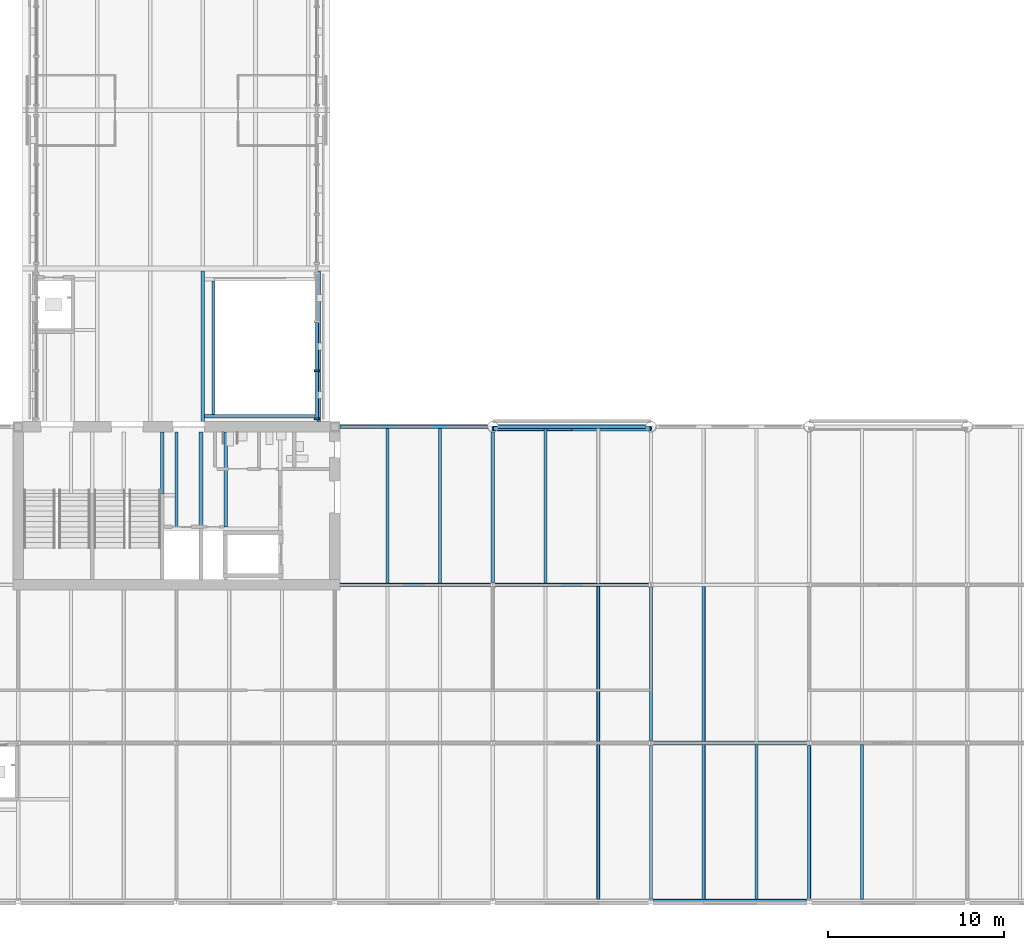
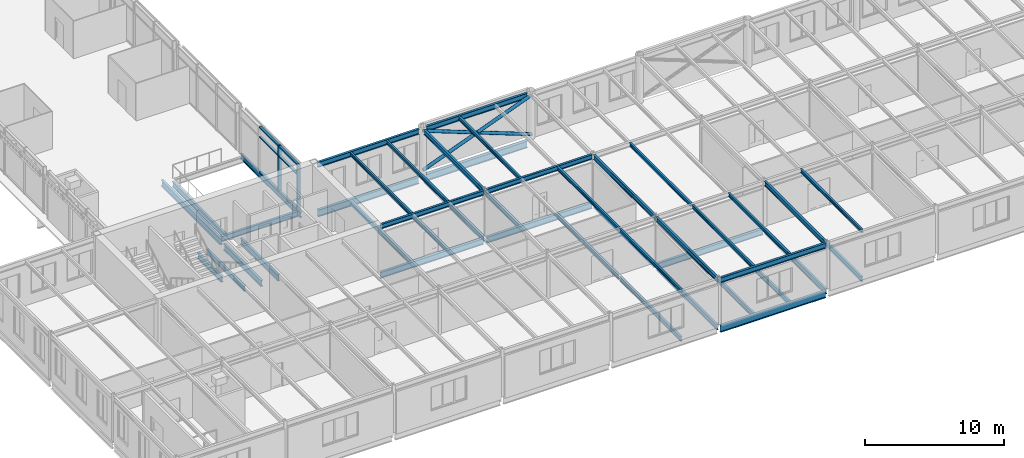
# One storey, part 24 of 123: 45 beams, 10 members, 1 element without a shape of its own.
"""IFC4 building model written with IfcOpenShell, lengths in metres."""

from ifc_helpers import new_model, si_unit, direction, frame, origin, origin_2d, place, context, subcontext, project, spatial, rectangle, hollow_circle, i_section, extrude, material, material_profile, profile_set, type_object, element, aggregate, save


model = new_model("IFC4")

# Units and contexts
model_context = context("Model", 3, precision=1e-05, world=origin(), true_north=direction((0.0, 1.0)))
body_context = subcontext(model_context, "Body", "Model", "MODEL_VIEW")
ifc_project = project(units=[si_unit("LENGTHUNIT", "METRE"), si_unit("AREAUNIT", "SQUARE_METRE"), si_unit("VOLUMEUNIT", "CUBIC_METRE"), si_unit("PLANEANGLEUNIT", "RADIAN"), si_unit("MASSUNIT", "GRAM", prefix="KILO")], contexts=[model_context])

# Site, building, storey
site_placement = place(None, origin())
site = spatial("IfcSite", under=ifc_project, at=site_placement, CompositionType="ELEMENT")
building_placement = place(site_placement, origin())
building = spatial("IfcBuilding", under=site, at=building_placement, Name="Baradari Gate Terminus", CompositionType="ELEMENT")
storey_placement = place(building_placement, frame((0.0, 0.0, 7.5)))
storey = spatial("IfcBuildingStorey", under=building, at=storey_placement, Name="L01", CompositionType="ELEMENT", Elevation=7.5)

# Members
ifc_material_1 = material(Name="Steel S355", Category="steel")
ifc_material_profile_1 = material_profile(ifc_material_1, hollow_circle(Radius=0.136474609375, WallThickness=0.012451171875, at=origin_2d()), Name="CHS 273x12.5")
ifc_profile_set_1 = profile_set([ifc_material_profile_1], Name="Steel S355")
member_type_1 = type_object("IfcMemberType", Name="Column bracing X02 CHS 273x12.5", PredefinedType="BRACE", material=ifc_profile_set_1)
for number, where, z_axis, x_axis, name in (
    (1, (99.0, 35.89990234375, 0.35009765625), (0.933747810426, 0.0, 0.357931594757), (0.0, 1.0, 0.0), "Column bracing 12-13 line E L01"),
    (2, (108.0, 35.89990234375, 0.35009765625), (-0.933747810426, 0.0, 0.357931594757), (0.0, -1.0, 0.0), "Column bracing 12-13 line E L01"),
):
    element("IfcMember", number, at=place(storey_placement, frame(where, z_axis=z_axis, x_axis=x_axis)), inside=storey, type_object=member_type_1, Name=name, PredefinedType="BRACE", context=body_context, shape_type="SweptSolid", body=[
        extrude(hollow_circle(Radius=0.136474609375, WallThickness=0.012451171875, at=origin_2d()), origin(), (0.0, 0.0, 1.0), 9.638671875),
    ])

# Beams
ifc_material_2 = material(Name="Steel S355", Category="steel")
ifc_material_profile_2 = material_profile(ifc_material_2, i_section(OverallWidth=0.19287109375, OverallDepth=0.46728515625, WebThickness=0.011474609375, FlangeThickness=0.01953125, FilletRadius=0.01025390625, at=origin_2d()), Name="UB 457x191x98")
ifc_profile_set_2 = profile_set([ifc_material_profile_2], Name="Steel S355")
beam_type_1 = type_object("IfcBeamType", Name="Concourse opening trimmer B19 UB 457x191x98", PredefinedType="BEAM", material=ifc_profile_set_2)
beam_1_placement = place(storey_placement, frame((82.60546875, 36.60009765625, -0.363525390625), z_axis=(1.0, 0.0, 0.0), x_axis=(0.0, 1.0, 0.0)))
element("IfcBeam", 3, at=beam_1_placement, inside=storey, type_object=beam_type_1, Name="Concourse opening trimmer B19 36.6:82.605-89 L01", PredefinedType="BEAM", context=body_context, shape_type="SweptSolid", body=[
    extrude(i_section(OverallWidth=0.19287109375, OverallDepth=0.46728515625, WebThickness=0.011474609375, FlangeThickness=0.01953125, FilletRadius=0.01025390625, at=origin_2d()), origin(), (0.0, 0.0, 1.0), 6.39404296875),
])
beam_2_placement = place(storey_placement, frame((89.095947265625, 36.300048828125, -0.363525390625), z_axis=(0.0, 1.0, 0.0), x_axis=(-1.0, 0.0, 0.0)))
element("IfcBeam", 4, at=beam_2_placement, inside=storey, type_object=beam_type_1, Name="Concourse opening trimmer B19 89.096:36.3-44.866 L01", PredefinedType="BEAM", context=body_context, shape_type="SweptSolid", body=[
    extrude(i_section(OverallWidth=0.19287109375, OverallDepth=0.46728515625, WebThickness=0.011474609375, FlangeThickness=0.01953125, FilletRadius=0.01025390625, at=origin_2d()), origin(), (0.0, 0.0, 1.0), 8.56591796875),
])
beam_3_placement = place(storey_placement, frame((83.10400390625, 36.6962890625, -0.363525390625), z_axis=(0.0, 1.0, 0.0), x_axis=(-1.0, 0.0, 0.0)))
element("IfcBeam", 5, at=beam_3_placement, inside=storey, type_object=beam_type_1, Name="Concourse opening trimmer B19 83.104:36.696-44.304 L01", PredefinedType="BEAM", context=body_context, shape_type="SweptSolid", body=[
    extrude(i_section(OverallWidth=0.19287109375, OverallDepth=0.46728515625, WebThickness=0.011474609375, FlangeThickness=0.01953125, FilletRadius=0.01025390625, at=origin_2d()), origin(), (0.0, 0.0, 1.0), 7.607421875),
])
ifc_material_3 = material(Name="Steel S355", Category="steel")
ifc_material_profile_3 = material_profile(ifc_material_3, i_section(OverallWidth=0.19140625, OverallDepth=0.4599609375, WebThickness=0.010009765625, FlangeThickness=0.01611328125, FilletRadius=0.01025390625, at=origin_2d()), Name="UB 457x191x82")
ifc_profile_set_3 = profile_set([ifc_material_profile_3], Name="Steel S355")
beam_type_2 = type_object("IfcBeamType", Name="Core floor beam B23 UB 457x191x82", PredefinedType="BEAM", material=ifc_profile_set_3)
beam_4_placement = place(storey_placement, frame((81.0, 30.3046875, -0.360107421875), z_axis=(0.0, 1.0, 0.0), x_axis=(-1.0, 0.0, 0.0)))
element("IfcBeam", 6, at=beam_4_placement, inside=storey, type_object=beam_type_2, Name="Core floor beam B23 10:30.305-35.7 L01", PredefinedType="BEAM", context=body_context, shape_type="SweptSolid", body=[
    extrude(i_section(OverallWidth=0.19140625, OverallDepth=0.4599609375, WebThickness=0.010009765625, FlangeThickness=0.01611328125, FilletRadius=0.01025390625, at=origin_2d()), origin(), (0.0, 0.0, 1.0), 5.395263671875),
])
ifc_material_4 = material(Name="Steel S355", Category="steel")
ifc_material_profile_4 = material_profile(ifc_material_4, i_section(OverallWidth=0.209228515625, OverallDepth=0.533203125, WebThickness=0.010009765625, FlangeThickness=0.015625, FilletRadius=0.0126953125, at=origin_2d()), Name="UB 533x210x92")
ifc_profile_set_4 = profile_set([ifc_material_profile_4], Name="Steel S355")
beam_type_3 = type_object("IfcBeamType", Name="Core floor trimmer beam B22 UB 533x210x92", PredefinedType="BEAM", material=ifc_profile_set_4)
for number, where, z_axis, x_axis, name in (
    (7, (82.39990234375, 30.3046875, -0.396484375), (0.0, 1.0, 0.0), (-1.0, 0.0, 0.0), "Core floor trimmer beam B22 82.4:30.305-35.7 L01"),
    (8, (83.800048828125, 30.3046875, -0.396484375), (0.0, 1.0, 0.0), (-1.0, 0.0, 0.0), "Core floor trimmer beam B22 83.8:30.305-35.7 L01"),
):
    element("IfcBeam", number, at=place(storey_placement, frame(where, z_axis=z_axis, x_axis=x_axis)), inside=storey, type_object=beam_type_3, Name=name, PredefinedType="BEAM", context=body_context, shape_type="SweptSolid", body=[
        extrude(i_section(OverallWidth=0.209228515625, OverallDepth=0.533203125, WebThickness=0.010009765625, FlangeThickness=0.015625, FilletRadius=0.0126953125, at=origin_2d()), origin(), (0.0, 0.0, 1.0), 5.395263671875),
    ])
beam_5_placement = place(storey_placement, frame((80.199951171875, 32.20458984375, -0.396484375), z_axis=(0.0, 1.0, 0.0), x_axis=(-1.0, 0.0, 0.0)))
element("IfcBeam", 9, at=beam_5_placement, inside=storey, type_object=beam_type_3, Name="Core floor trimmer beam B22 80.2:32.205-35.7 L01", PredefinedType="BEAM", context=body_context, shape_type="SweptSolid", body=[
    extrude(i_section(OverallWidth=0.209228515625, OverallDepth=0.533203125, WebThickness=0.010009765625, FlangeThickness=0.015625, FilletRadius=0.0126953125, at=origin_2d()), origin(), (0.0, 0.0, 1.0), 3.495361328125),
])

# Curtain wall, members
ifc_material_5 = material(Name="Aluminium 6063-T6", Category="aluminium")
curtain_wall_type = type_object("IfcCurtainWallType", Name="Curtain wall CW-14 concourse bridge glazing", PredefinedType="NOTDEFINED", material=ifc_material_5)
curtain_wall_placement = place(storey_placement, origin())
curtain_wall = element("IfcCurtainWall", 10, at=curtain_wall_placement, inside=storey, type_object=curtain_wall_type, Name="Curtain wall CW-3 gate east face L01 bay 1", PredefinedType="NOTDEFINED")
ifc_material_6 = material(Name="Aluminium 6063-T6", Category="aluminium")
ifc_material_profile_5 = material_profile(ifc_material_6, rectangle(XDim=0.27490234375, YDim=0.10009765625, at=origin_2d()), Name="CM-14 100X275")
ifc_profile_set_5 = profile_set([ifc_material_profile_5], Name="Aluminium 6063-T6")
member_type_2 = type_object("IfcMemberType", Name="Curtain wall mullion CM-14 100x275", PredefinedType="MULLION", material=ifc_profile_set_5)
member_1_placement = place(storey_placement, frame((88.97509765625, 36.449951171875, 0.0), z_axis=(0.0, 0.0, 1.0), x_axis=(-1.0, 0.0, 0.0)))
member_1 = element("IfcMember", 11, at=member_1_placement, type_object=member_type_2, Name="CW-14 mullion 1", PredefinedType="MULLION", context=body_context, shape_type="SweptSolid", body=[
    extrude(rectangle(XDim=0.27490234375, YDim=0.10009765625, at=origin_2d()), origin(), (0.0, 0.0, 1.0), 4.050048828125),
])
member_2_placement = place(storey_placement, frame((88.97509765625, 39.183349609375, 0.0), z_axis=(0.0, 0.0, 1.0), x_axis=(-1.0, 0.0, 0.0)))
member_2 = element("IfcMember", 12, at=member_2_placement, type_object=member_type_2, Name="CW-14 mullion 2", PredefinedType="MULLION", context=body_context, shape_type="SweptSolid", body=[
    extrude(rectangle(XDim=0.27490234375, YDim=0.10009765625, at=origin_2d()), origin(), (0.0, 0.0, 1.0), 4.050048828125),
])
ifc_material_7 = material(Name="Aluminium 6063-T6", Category="aluminium")
ifc_material_profile_6 = material_profile(ifc_material_7, rectangle(XDim=0.199951171875, YDim=0.10009765625, at=origin_2d()), Name="CT-14 100X200")
ifc_profile_set_6 = profile_set([ifc_material_profile_6], Name="Aluminium 6063-T6")
member_type_3 = type_object("IfcMemberType", Name="Curtain wall transom CT-14 100x200", PredefinedType="USERDEFINED", material=ifc_profile_set_6)
member_3_placement = place(storey_placement, frame((88.97509765625, 36.5, 0.050048828125), z_axis=(0.0, 1.0, 0.0), x_axis=(-1.0, 0.0, 0.0)))
member_3 = element("IfcMember", 13, at=member_3_placement, type_object=member_type_3, Name="CW-14 transom 1.1", ObjectType="TRANSOM", PredefinedType="USERDEFINED", context=body_context, shape_type="SweptSolid", body=[
    extrude(rectangle(XDim=0.199951171875, YDim=0.10009765625, at=origin_2d()), origin(), (0.0, 0.0, 1.0), 2.63330078125),
])
member_4_placement = place(storey_placement, frame((88.97509765625, 36.5, 3.14990234375), z_axis=(0.0, 1.0, 0.0), x_axis=(-1.0, 0.0, 0.0)))
member_4 = element("IfcMember", 14, at=member_4_placement, type_object=member_type_3, Name="CW-14 transom 1.2", ObjectType="TRANSOM", PredefinedType="USERDEFINED", context=body_context, shape_type="SweptSolid", body=[
    extrude(rectangle(XDim=0.199951171875, YDim=0.10009765625, at=origin_2d()), origin(), (0.0, 0.0, 1.0), 2.63330078125),
])
member_5_placement = place(storey_placement, frame((88.97509765625, 36.5, 4.0), z_axis=(0.0, 1.0, 0.0), x_axis=(-1.0, 0.0, 0.0)))
member_5 = element("IfcMember", 15, at=member_5_placement, type_object=member_type_3, Name="CW-14 transom 1.3", ObjectType="TRANSOM", PredefinedType="USERDEFINED", context=body_context, shape_type="SweptSolid", body=[
    extrude(rectangle(XDim=0.199951171875, YDim=0.10009765625, at=origin_2d()), origin(), (0.0, 0.0, 1.0), 2.63330078125),
])
member_6_placement = place(storey_placement, frame((88.97509765625, 39.2333984375, 0.050048828125), z_axis=(0.0, 1.0, 0.0), x_axis=(-1.0, 0.0, 0.0)))
member_6 = element("IfcMember", 16, at=member_6_placement, type_object=member_type_3, Name="CW-14 transom 2.1", ObjectType="TRANSOM", PredefinedType="USERDEFINED", context=body_context, shape_type="SweptSolid", body=[
    extrude(rectangle(XDim=0.199951171875, YDim=0.10009765625, at=origin_2d()), origin(), (0.0, 0.0, 1.0), 2.683349609375),
])
member_7_placement = place(storey_placement, frame((88.97509765625, 39.2333984375, 3.14990234375), z_axis=(0.0, 1.0, 0.0), x_axis=(-1.0, 0.0, 0.0)))
member_7 = element("IfcMember", 17, at=member_7_placement, type_object=member_type_3, Name="CW-14 transom 2.2", ObjectType="TRANSOM", PredefinedType="USERDEFINED", context=body_context, shape_type="SweptSolid", body=[
    extrude(rectangle(XDim=0.199951171875, YDim=0.10009765625, at=origin_2d()), origin(), (0.0, 0.0, 1.0), 2.683349609375),
])
member_8_placement = place(storey_placement, frame((88.97509765625, 39.2333984375, 4.0), z_axis=(0.0, 1.0, 0.0), x_axis=(-1.0, 0.0, 0.0)))
member_8 = element("IfcMember", 18, at=member_8_placement, type_object=member_type_3, Name="CW-14 transom 2.3", ObjectType="TRANSOM", PredefinedType="USERDEFINED", context=body_context, shape_type="SweptSolid", body=[
    extrude(rectangle(XDim=0.199951171875, YDim=0.10009765625, at=origin_2d()), origin(), (0.0, 0.0, 1.0), 2.683349609375),
])
aggregate(curtain_wall, [member_1, member_2, member_3, member_4, member_5, member_6, member_7, member_8])

# Beams
ifc_material_8 = material(Name="Steel S355", Category="steel")
ifc_material_profile_7 = material_profile(ifc_material_8, i_section(OverallWidth=0.210693359375, OverallDepth=0.53955078125, WebThickness=0.01171875, FlangeThickness=0.018798828125, FilletRadius=0.0126953125, at=origin_2d()), Name="UB 533x210x109")
ifc_profile_set_7 = profile_set([ifc_material_profile_7], Name="Steel S355")
beam_type_4 = type_object("IfcBeamType", Name="Gate concourse secondary beam B21 UB 533x210x109", PredefinedType="BEAM", material=ifc_profile_set_7)
beam_6_placement = place(storey_placement, frame((82.5, 36.300048828125, -0.399658203125), z_axis=(0.0, 1.0, 0.0), x_axis=(-1.0, 0.0, 0.0)))
element("IfcBeam", 19, at=beam_6_placement, inside=storey, type_object=beam_type_4, Name="Gate concourse secondary beam B21 82.5:36.3-44.866 L01", PredefinedType="BEAM", context=body_context, shape_type="SweptSolid", body=[
    extrude(i_section(OverallWidth=0.210693359375, OverallDepth=0.53955078125, WebThickness=0.01171875, FlangeThickness=0.018798828125, FilletRadius=0.0126953125, at=origin_2d()), origin(), (0.0, 0.0, 1.0), 8.56591796875),
])
ifc_material_9 = material(Name="Steel S355", Category="steel")
ifc_material_profile_8 = material_profile(ifc_material_9, i_section(OverallWidth=0.19140625, OverallDepth=0.4599609375, WebThickness=0.010009765625, FlangeThickness=0.01611328125, FilletRadius=0.01025390625, at=origin_2d()), Name="UB 457x191x82")
ifc_profile_set_8 = profile_set([ifc_material_profile_8], Name="Steel S355")
beam_type_5 = type_object("IfcBeamType", Name="South wing cross girder B18 UB 457x191x82", PredefinedType="BEAM", material=ifc_profile_set_8)
beam_7_placement = place(storey_placement, frame((99.0, 27.130126953125, -0.360107421875), z_axis=(0.0, 1.0, 0.0), x_axis=(-1.0, 0.0, 0.0)))
element("IfcBeam", 20, at=beam_7_placement, inside=storey, type_object=beam_type_5, Name="South wing cross girder B18 12:27.13-35.695 L01", PredefinedType="BEAM", context=body_context, shape_type="SweptSolid", body=[
    extrude(i_section(OverallWidth=0.19140625, OverallDepth=0.4599609375, WebThickness=0.010009765625, FlangeThickness=0.01611328125, FilletRadius=0.01025390625, at=origin_2d()), origin(), (0.0, 0.0, 1.0), 8.56494140625),
])
beam_8_placement = place(storey_placement, frame((108.0, 9.127197265625, -0.360107421875), z_axis=(0.0, 1.0, 0.0), x_axis=(-1.0, 0.0, 0.0)))
element("IfcBeam", 21, at=beam_8_placement, inside=storey, type_object=beam_type_5, Name="South wing cross girder B18 13:9.127-17.87 L01", PredefinedType="BEAM", context=body_context, shape_type="SweptSolid", body=[
    extrude(i_section(OverallWidth=0.19140625, OverallDepth=0.4599609375, WebThickness=0.010009765625, FlangeThickness=0.01611328125, FilletRadius=0.01025390625, at=origin_2d()), origin(), (0.0, 0.0, 1.0), 8.74267578125),
])
beam_9_placement = place(storey_placement, frame((108.0, 18.130126953125, -0.360107421875), z_axis=(0.0, 1.0, 0.0), x_axis=(-1.0, 0.0, 0.0)))
element("IfcBeam", 22, at=beam_9_placement, inside=storey, type_object=beam_type_5, Name="South wing cross girder B18 13:18.13-26.87 L01", PredefinedType="BEAM", context=body_context, shape_type="SweptSolid", body=[
    extrude(i_section(OverallWidth=0.19140625, OverallDepth=0.4599609375, WebThickness=0.010009765625, FlangeThickness=0.01611328125, FilletRadius=0.01025390625, at=origin_2d()), origin(), (0.0, 0.0, 1.0), 8.73974609375),
])
beam_10_placement = place(storey_placement, frame((117.0, 9.127197265625, -0.360107421875), z_axis=(0.0, 1.0, 0.0), x_axis=(-1.0, 0.0, 0.0)))
element("IfcBeam", 23, at=beam_10_placement, inside=storey, type_object=beam_type_5, Name="South wing cross girder B18 14:9.127-17.87 L01", PredefinedType="BEAM", context=body_context, shape_type="SweptSolid", body=[
    extrude(i_section(OverallWidth=0.19140625, OverallDepth=0.4599609375, WebThickness=0.010009765625, FlangeThickness=0.01611328125, FilletRadius=0.01025390625, at=origin_2d()), origin(), (0.0, 0.0, 1.0), 8.74267578125),
])
ifc_material_10 = material(Name="Steel S355", Category="steel")
ifc_material_profile_9 = material_profile(ifc_material_10, i_section(OverallWidth=0.2275390625, OverallDepth=0.6025390625, WebThickness=0.010498046875, FlangeThickness=0.014892578125, FilletRadius=0.0126953125, at=origin_2d()), Name="UB 610x229x101")
ifc_profile_set_9 = profile_set([ifc_material_profile_9], Name="Steel S355")
beam_type_6 = type_object("IfcBeamType", Name="South wing edge girder B14 UB 610x229x101", PredefinedType="BEAM", material=ifc_profile_set_9)
beam_11_placement = place(storey_placement, frame((108.127197265625, 9.0, -0.431396484375), z_axis=(1.0, 0.0, 0.0), x_axis=(0.0, 1.0, 0.0)))
element("IfcBeam", 24, at=beam_11_placement, inside=storey, type_object=beam_type_6, Name="South wing edge girder B14 B:108.127-116.873 L01", PredefinedType="BEAM", context=body_context, shape_type="SweptSolid", body=[
    extrude(i_section(OverallWidth=0.2275390625, OverallDepth=0.6025390625, WebThickness=0.010498046875, FlangeThickness=0.014892578125, FilletRadius=0.0126953125, at=origin_2d()), origin(), (0.0, 0.0, 1.0), 8.74560546875),
])
beam_12_placement = place(storey_placement, frame((90.300048828125, 36.0, -0.431396484375), z_axis=(1.0, 0.0, 0.0), x_axis=(0.0, 1.0, 0.0)))
element("IfcBeam", 25, at=beam_12_placement, inside=storey, type_object=beam_type_6, Name="South wing edge girder B14 E:90.3-98.695 L01", PredefinedType="BEAM", context=body_context, shape_type="SweptSolid", body=[
    extrude(i_section(OverallWidth=0.2275390625, OverallDepth=0.6025390625, WebThickness=0.010498046875, FlangeThickness=0.014892578125, FilletRadius=0.0126953125, at=origin_2d()), origin(), (0.0, 0.0, 1.0), 8.39501953125),
])
beam_13_placement = place(storey_placement, frame((99.304931640625, 36.0, -0.431396484375), z_axis=(1.0, 0.0, 0.0), x_axis=(0.0, 1.0, 0.0)))
element("IfcBeam", 26, at=beam_13_placement, inside=storey, type_object=beam_type_6, Name="South wing edge girder B14 E:99.305-107.695 L01", PredefinedType="BEAM", context=body_context, shape_type="SweptSolid", body=[
    extrude(i_section(OverallWidth=0.2275390625, OverallDepth=0.6025390625, WebThickness=0.010498046875, FlangeThickness=0.014892578125, FilletRadius=0.0126953125, at=origin_2d()), origin(), (0.0, 0.0, 1.0), 8.39013671875),
])
ifc_material_11 = material(Name="Steel S355", Category="steel")
ifc_material_profile_10 = material_profile(ifc_material_11, i_section(OverallWidth=0.210693359375, OverallDepth=0.53955078125, WebThickness=0.01171875, FlangeThickness=0.018798828125, FilletRadius=0.0126953125, at=origin_2d()), Name="UB 533x210x109")
ifc_profile_set_10 = profile_set([ifc_material_profile_10], Name="Steel S355")
beam_type_7 = type_object("IfcBeamType", Name="South wing girder B16 UB 533x210x109", PredefinedType="BEAM", material=ifc_profile_set_10)
beam_14_placement = place(storey_placement, frame((108.128173828125, 18.0, -0.399658203125), z_axis=(1.0, 0.0, 0.0), x_axis=(0.0, 1.0, 0.0)))
element("IfcBeam", 27, at=beam_14_placement, inside=storey, type_object=beam_type_7, Name="South wing girder B16 C:108.128-116.872 L01", PredefinedType="BEAM", context=body_context, shape_type="SweptSolid", body=[
    extrude(i_section(OverallWidth=0.210693359375, OverallDepth=0.53955078125, WebThickness=0.01171875, FlangeThickness=0.018798828125, FilletRadius=0.0126953125, at=origin_2d()), origin(), (0.0, 0.0, 1.0), 8.74365234375),
])
beam_15_placement = place(storey_placement, frame((90.300048828125, 27.0, -0.399658203125), z_axis=(1.0, 0.0, 0.0), x_axis=(0.0, 1.0, 0.0)))
element("IfcBeam", 28, at=beam_15_placement, inside=storey, type_object=beam_type_7, Name="South wing girder B16 D:90.3-98.872 L01", PredefinedType="BEAM", context=body_context, shape_type="SweptSolid", body=[
    extrude(i_section(OverallWidth=0.210693359375, OverallDepth=0.53955078125, WebThickness=0.01171875, FlangeThickness=0.018798828125, FilletRadius=0.0126953125, at=origin_2d()), origin(), (0.0, 0.0, 1.0), 8.57177734375),
])
beam_16_placement = place(storey_placement, frame((99.128173828125, 27.0, -0.399658203125), z_axis=(1.0, 0.0, 0.0), x_axis=(0.0, 1.0, 0.0)))
element("IfcBeam", 29, at=beam_16_placement, inside=storey, type_object=beam_type_7, Name="South wing girder B16 D:99.128-107.872 L01", PredefinedType="BEAM", context=body_context, shape_type="SweptSolid", body=[
    extrude(i_section(OverallWidth=0.210693359375, OverallDepth=0.53955078125, WebThickness=0.01171875, FlangeThickness=0.018798828125, FilletRadius=0.0126953125, at=origin_2d()), origin(), (0.0, 0.0, 1.0), 8.74365234375),
])
ifc_material_12 = material(Name="Steel S355", Category="steel")
ifc_material_profile_11 = material_profile(ifc_material_12, i_section(OverallWidth=0.18994140625, OverallDepth=0.453369140625, WebThickness=0.008544921875, FlangeThickness=0.0126953125, FilletRadius=0.01025390625, at=origin_2d()), Name="UB 457x191x67")
ifc_profile_set_11 = profile_set([ifc_material_profile_11], Name="Steel S355")
beam_type_8 = type_object("IfcBeamType", Name="South wing roof edge girder B53 UB 457x191x67", PredefinedType="BEAM", material=ifc_profile_set_11)
beam_17_placement = place(storey_placement, frame((108.127197265625, 9.0, 3.8232421875), z_axis=(1.0, 0.0, 0.0), x_axis=(0.0, 1.0, 0.0)))
element("IfcBeam", 30, at=beam_17_placement, inside=storey, type_object=beam_type_8, Name="South wing roof edge girder B53 B:108.127-116.873 L01", PredefinedType="BEAM", context=body_context, shape_type="SweptSolid", body=[
    extrude(i_section(OverallWidth=0.18994140625, OverallDepth=0.453369140625, WebThickness=0.008544921875, FlangeThickness=0.0126953125, FilletRadius=0.01025390625, at=origin_2d()), origin(), (0.0, 0.0, 1.0), 8.74560546875),
])
beam_18_placement = place(storey_placement, frame((90.300048828125, 36.0, 3.8232421875), z_axis=(1.0, 0.0, 0.0), x_axis=(0.0, 1.0, 0.0)))
element("IfcBeam", 31, at=beam_18_placement, inside=storey, type_object=beam_type_8, Name="South wing roof edge girder B53 E:90.3-98.695 L01", PredefinedType="BEAM", context=body_context, shape_type="SweptSolid", body=[
    extrude(i_section(OverallWidth=0.18994140625, OverallDepth=0.453369140625, WebThickness=0.008544921875, FlangeThickness=0.0126953125, FilletRadius=0.01025390625, at=origin_2d()), origin(), (0.0, 0.0, 1.0), 8.39501953125),
])
beam_19_placement = place(storey_placement, frame((99.304931640625, 36.0, 3.8232421875), z_axis=(1.0, 0.0, 0.0), x_axis=(0.0, 1.0, 0.0)))
element("IfcBeam", 32, at=beam_19_placement, inside=storey, type_object=beam_type_8, Name="South wing roof edge girder B53 E:99.305-107.695 L01", PredefinedType="BEAM", context=body_context, shape_type="SweptSolid", body=[
    extrude(i_section(OverallWidth=0.18994140625, OverallDepth=0.453369140625, WebThickness=0.008544921875, FlangeThickness=0.0126953125, FilletRadius=0.01025390625, at=origin_2d()), origin(), (0.0, 0.0, 1.0), 8.39013671875),
])
ifc_material_13 = material(Name="Steel S355", Category="steel")
ifc_material_profile_12 = material_profile(ifc_material_13, i_section(OverallWidth=0.177978515625, OverallDepth=0.406494140625, WebThickness=0.0078125, FlangeThickness=0.0126953125, FilletRadius=0.01025390625, at=origin_2d()), Name="UB 406x178x60")
ifc_profile_set_12 = profile_set([ifc_material_profile_12], Name="Steel S355")
beam_type_9 = type_object("IfcBeamType", Name="South wing roof girder B54 UB 406x178x60", PredefinedType="BEAM", material=ifc_profile_set_12)
beam_20_placement = place(storey_placement, frame((90.300048828125, 27.0, 3.8466796875), z_axis=(1.0, 0.0, 0.0), x_axis=(0.0, 1.0, 0.0)))
element("IfcBeam", 33, at=beam_20_placement, inside=storey, type_object=beam_type_9, Name="South wing roof girder B54 D:90.3-98.872 L01", PredefinedType="BEAM", context=body_context, shape_type="SweptSolid", body=[
    extrude(i_section(OverallWidth=0.177978515625, OverallDepth=0.406494140625, WebThickness=0.0078125, FlangeThickness=0.0126953125, FilletRadius=0.01025390625, at=origin_2d()), origin(), (0.0, 0.0, 1.0), 8.57177734375),
])
beam_21_placement = place(storey_placement, frame((99.128173828125, 27.0, 3.8466796875), z_axis=(1.0, 0.0, 0.0), x_axis=(0.0, 1.0, 0.0)))
element("IfcBeam", 34, at=beam_21_placement, inside=storey, type_object=beam_type_9, Name="South wing roof girder B54 D:99.128-107.872 L01", PredefinedType="BEAM", context=body_context, shape_type="SweptSolid", body=[
    extrude(i_section(OverallWidth=0.177978515625, OverallDepth=0.406494140625, WebThickness=0.0078125, FlangeThickness=0.0126953125, FilletRadius=0.01025390625, at=origin_2d()), origin(), (0.0, 0.0, 1.0), 8.74365234375),
])
beam_22_placement = place(storey_placement, frame((99.0, 27.130126953125, 3.8466796875), z_axis=(0.0, 1.0, 0.0), x_axis=(-1.0, 0.0, 0.0)))
element("IfcBeam", 35, at=beam_22_placement, inside=storey, type_object=beam_type_9, Name="South wing roof girder B54 12:27.13-35.695 L01", PredefinedType="BEAM", context=body_context, shape_type="SweptSolid", body=[
    extrude(i_section(OverallWidth=0.177978515625, OverallDepth=0.406494140625, WebThickness=0.0078125, FlangeThickness=0.0126953125, FilletRadius=0.01025390625, at=origin_2d()), origin(), (0.0, 0.0, 1.0), 8.56494140625),
])
beam_23_placement = place(storey_placement, frame((108.0, 9.127197265625, 3.8466796875), z_axis=(0.0, 1.0, 0.0), x_axis=(-1.0, 0.0, 0.0)))
element("IfcBeam", 36, at=beam_23_placement, inside=storey, type_object=beam_type_9, Name="South wing roof girder B54 13:9.127-17.87 L01", PredefinedType="BEAM", context=body_context, shape_type="SweptSolid", body=[
    extrude(i_section(OverallWidth=0.177978515625, OverallDepth=0.406494140625, WebThickness=0.0078125, FlangeThickness=0.0126953125, FilletRadius=0.01025390625, at=origin_2d()), origin(), (0.0, 0.0, 1.0), 8.74267578125),
])
beam_24_placement = place(storey_placement, frame((108.0, 18.130126953125, 3.8466796875), z_axis=(0.0, 1.0, 0.0), x_axis=(-1.0, 0.0, 0.0)))
element("IfcBeam", 37, at=beam_24_placement, inside=storey, type_object=beam_type_9, Name="South wing roof girder B54 13:18.13-26.87 L01", PredefinedType="BEAM", context=body_context, shape_type="SweptSolid", body=[
    extrude(i_section(OverallWidth=0.177978515625, OverallDepth=0.406494140625, WebThickness=0.0078125, FlangeThickness=0.0126953125, FilletRadius=0.01025390625, at=origin_2d()), origin(), (0.0, 0.0, 1.0), 8.73974609375),
])
beam_25_placement = place(storey_placement, frame((117.0, 9.127197265625, 3.8466796875), z_axis=(0.0, 1.0, 0.0), x_axis=(-1.0, 0.0, 0.0)))
element("IfcBeam", 38, at=beam_25_placement, inside=storey, type_object=beam_type_9, Name="South wing roof girder B54 14:9.127-17.87 L01", PredefinedType="BEAM", context=body_context, shape_type="SweptSolid", body=[
    extrude(i_section(OverallWidth=0.177978515625, OverallDepth=0.406494140625, WebThickness=0.0078125, FlangeThickness=0.0126953125, FilletRadius=0.01025390625, at=origin_2d()), origin(), (0.0, 0.0, 1.0), 8.74267578125),
])
ifc_material_14 = material(Name="Steel S355", Category="steel")
ifc_material_profile_13 = material_profile(ifc_material_14, i_section(OverallWidth=0.1650390625, OverallDepth=0.303466796875, WebThickness=0.006103515625, FlangeThickness=0.01025390625, FilletRadius=0.0087890625, at=origin_2d()), Name="UB 305x165x40")
ifc_profile_set_13 = profile_set([ifc_material_profile_13], Name="Steel S355")
beam_type_10 = type_object("IfcBeamType", Name="South wing roof secondary beam B55 UB 305x165x40", PredefinedType="BEAM", material=ifc_profile_set_13)
for number, where, z_axis, x_axis, name in (
    (39, (93.0, 27.089111328125, 3.898193359375), (0.0, 1.0, 0.0), (-1.0, 0.0, 0.0), "South wing roof secondary beam B55 93:27.089-35.905 L01"),
    (40, (96.0, 27.089111328125, 3.898193359375), (0.0, 1.0, 0.0), (-1.0, 0.0, 0.0), "South wing roof secondary beam B55 96:27.089-35.905 L01"),
    (41, (102.0, 27.089111328125, 3.898193359375), (0.0, 1.0, 0.0), (-1.0, 0.0, 0.0), "South wing roof secondary beam B55 102:27.089-35.905 L01"),
    (42, (105.0, 9.094970703125, 3.898193359375), (0.0, 1.0, 0.0), (-1.0, 0.0, 0.0), "South wing roof secondary beam B55 105:9.095-17.911 L01"),
):
    element("IfcBeam", number, at=place(storey_placement, frame(where, z_axis=z_axis, x_axis=x_axis)), inside=storey, type_object=beam_type_10, Name=name, PredefinedType="BEAM", context=body_context, shape_type="SweptSolid", body=[
        extrude(i_section(OverallWidth=0.1650390625, OverallDepth=0.303466796875, WebThickness=0.006103515625, FlangeThickness=0.01025390625, FilletRadius=0.0087890625, at=origin_2d()), origin(), (0.0, 0.0, 1.0), 8.81591796875),
    ])
beam_26_placement = place(storey_placement, frame((105.0, 18.089111328125, 3.898193359375), z_axis=(0.0, 1.0, 0.0), x_axis=(-1.0, 0.0, 0.0)))
element("IfcBeam", 43, at=beam_26_placement, inside=storey, type_object=beam_type_10, Name="South wing roof secondary beam B55 105:18.089-26.911 L01", PredefinedType="BEAM", context=body_context, shape_type="SweptSolid", body=[
    extrude(i_section(OverallWidth=0.1650390625, OverallDepth=0.303466796875, WebThickness=0.006103515625, FlangeThickness=0.01025390625, FilletRadius=0.0087890625, at=origin_2d()), origin(), (0.0, 0.0, 1.0), 8.82177734375),
])
beam_27_placement = place(storey_placement, frame((111.0, 9.094970703125, 3.898193359375), z_axis=(0.0, 1.0, 0.0), x_axis=(-1.0, 0.0, 0.0)))
element("IfcBeam", 44, at=beam_27_placement, inside=storey, type_object=beam_type_10, Name="South wing roof secondary beam B55 111:9.095-17.911 L01", PredefinedType="BEAM", context=body_context, shape_type="SweptSolid", body=[
    extrude(i_section(OverallWidth=0.1650390625, OverallDepth=0.303466796875, WebThickness=0.006103515625, FlangeThickness=0.01025390625, FilletRadius=0.0087890625, at=origin_2d()), origin(), (0.0, 0.0, 1.0), 8.81591796875),
])
beam_28_placement = place(storey_placement, frame((111.0, 18.089111328125, 3.898193359375), z_axis=(0.0, 1.0, 0.0), x_axis=(-1.0, 0.0, 0.0)))
element("IfcBeam", 45, at=beam_28_placement, inside=storey, type_object=beam_type_10, Name="South wing roof secondary beam B55 111:18.089-26.911 L01", PredefinedType="BEAM", context=body_context, shape_type="SweptSolid", body=[
    extrude(i_section(OverallWidth=0.1650390625, OverallDepth=0.303466796875, WebThickness=0.006103515625, FlangeThickness=0.01025390625, FilletRadius=0.0087890625, at=origin_2d()), origin(), (0.0, 0.0, 1.0), 8.82177734375),
])
for number, where, z_axis, x_axis, name in (
    (46, (114.0, 9.094970703125, 3.898193359375), (0.0, 1.0, 0.0), (-1.0, 0.0, 0.0), "South wing roof secondary beam B55 114:9.095-17.911 L01"),
    (47, (120.0, 9.094970703125, 3.898193359375), (0.0, 1.0, 0.0), (-1.0, 0.0, 0.0), "South wing roof secondary beam B55 120:9.095-17.911 L01"),
):
    element("IfcBeam", number, at=place(storey_placement, frame(where, z_axis=z_axis, x_axis=x_axis)), inside=storey, type_object=beam_type_10, Name=name, PredefinedType="BEAM", context=body_context, shape_type="SweptSolid", body=[
        extrude(i_section(OverallWidth=0.1650390625, OverallDepth=0.303466796875, WebThickness=0.006103515625, FlangeThickness=0.01025390625, FilletRadius=0.0087890625, at=origin_2d()), origin(), (0.0, 0.0, 1.0), 8.81591796875),
    ])
ifc_material_15 = material(Name="Steel S355", Category="steel")
ifc_material_profile_14 = material_profile(ifc_material_15, i_section(OverallWidth=0.177978515625, OverallDepth=0.406494140625, WebThickness=0.0078125, FlangeThickness=0.0126953125, FilletRadius=0.01025390625, at=origin_2d()), Name="UB 406x178x60")
ifc_profile_set_14 = profile_set([ifc_material_profile_14], Name="Steel S355")
beam_type_11 = type_object("IfcBeamType", Name="South wing secondary beam B17 UB 406x178x60", PredefinedType="BEAM", material=ifc_profile_set_14)
for number, where, z_axis, x_axis, name in (
    (48, (93.0, 27.10546875, -0.333251953125), (0.0, 1.0, 0.0), (-1.0, 0.0, 0.0), "South wing secondary beam B17 93:27.105-35.886 L01"),
    (49, (96.0, 27.10546875, -0.333251953125), (0.0, 1.0, 0.0), (-1.0, 0.0, 0.0), "South wing secondary beam B17 96:27.105-35.886 L01"),
    (50, (102.0, 27.10546875, -0.333251953125), (0.0, 1.0, 0.0), (-1.0, 0.0, 0.0), "South wing secondary beam B17 102:27.105-35.886 L01"),
    (51, (105.0, 9.11376953125, -0.333251953125), (0.0, 1.0, 0.0), (-1.0, 0.0, 0.0), "South wing secondary beam B17 105:9.114-17.895 L01"),
):
    element("IfcBeam", number, at=place(storey_placement, frame(where, z_axis=z_axis, x_axis=x_axis)), inside=storey, type_object=beam_type_11, Name=name, PredefinedType="BEAM", context=body_context, shape_type="SweptSolid", body=[
        extrude(i_section(OverallWidth=0.177978515625, OverallDepth=0.406494140625, WebThickness=0.0078125, FlangeThickness=0.0126953125, FilletRadius=0.01025390625, at=origin_2d()), origin(), (0.0, 0.0, 1.0), 8.78076171875),
    ])
beam_29_placement = place(storey_placement, frame((105.0, 18.10546875, -0.333251953125), z_axis=(0.0, 1.0, 0.0), x_axis=(-1.0, 0.0, 0.0)))
element("IfcBeam", 52, at=beam_29_placement, inside=storey, type_object=beam_type_11, Name="South wing secondary beam B17 105:18.105-26.895 L01", PredefinedType="BEAM", context=body_context, shape_type="SweptSolid", body=[
    extrude(i_section(OverallWidth=0.177978515625, OverallDepth=0.406494140625, WebThickness=0.0078125, FlangeThickness=0.0126953125, FilletRadius=0.01025390625, at=origin_2d()), origin(), (0.0, 0.0, 1.0), 8.7890625),
])
beam_30_placement = place(storey_placement, frame((111.0, 9.11376953125, -0.333251953125), z_axis=(0.0, 1.0, 0.0), x_axis=(-1.0, 0.0, 0.0)))
element("IfcBeam", 53, at=beam_30_placement, inside=storey, type_object=beam_type_11, Name="South wing secondary beam B17 111:9.114-17.895 L01", PredefinedType="BEAM", context=body_context, shape_type="SweptSolid", body=[
    extrude(i_section(OverallWidth=0.177978515625, OverallDepth=0.406494140625, WebThickness=0.0078125, FlangeThickness=0.0126953125, FilletRadius=0.01025390625, at=origin_2d()), origin(), (0.0, 0.0, 1.0), 8.78076171875),
])
beam_31_placement = place(storey_placement, frame((111.0, 18.10546875, -0.333251953125), z_axis=(0.0, 1.0, 0.0), x_axis=(-1.0, 0.0, 0.0)))
element("IfcBeam", 54, at=beam_31_placement, inside=storey, type_object=beam_type_11, Name="South wing secondary beam B17 111:18.105-26.895 L01", PredefinedType="BEAM", context=body_context, shape_type="SweptSolid", body=[
    extrude(i_section(OverallWidth=0.177978515625, OverallDepth=0.406494140625, WebThickness=0.0078125, FlangeThickness=0.0126953125, FilletRadius=0.01025390625, at=origin_2d()), origin(), (0.0, 0.0, 1.0), 8.7890625),
])
for number, where, z_axis, x_axis, name in (
    (55, (114.0, 9.11376953125, -0.333251953125), (0.0, 1.0, 0.0), (-1.0, 0.0, 0.0), "South wing secondary beam B17 114:9.114-17.895 L01"),
    (56, (120.0, 9.11376953125, -0.333251953125), (0.0, 1.0, 0.0), (-1.0, 0.0, 0.0), "South wing secondary beam B17 120:9.114-17.895 L01"),
):
    element("IfcBeam", number, at=place(storey_placement, frame(where, z_axis=z_axis, x_axis=x_axis)), inside=storey, type_object=beam_type_11, Name=name, PredefinedType="BEAM", context=body_context, shape_type="SweptSolid", body=[
        extrude(i_section(OverallWidth=0.177978515625, OverallDepth=0.406494140625, WebThickness=0.0078125, FlangeThickness=0.0126953125, FilletRadius=0.01025390625, at=origin_2d()), origin(), (0.0, 0.0, 1.0), 8.78076171875),
    ])

save(model, "model.ifc")
